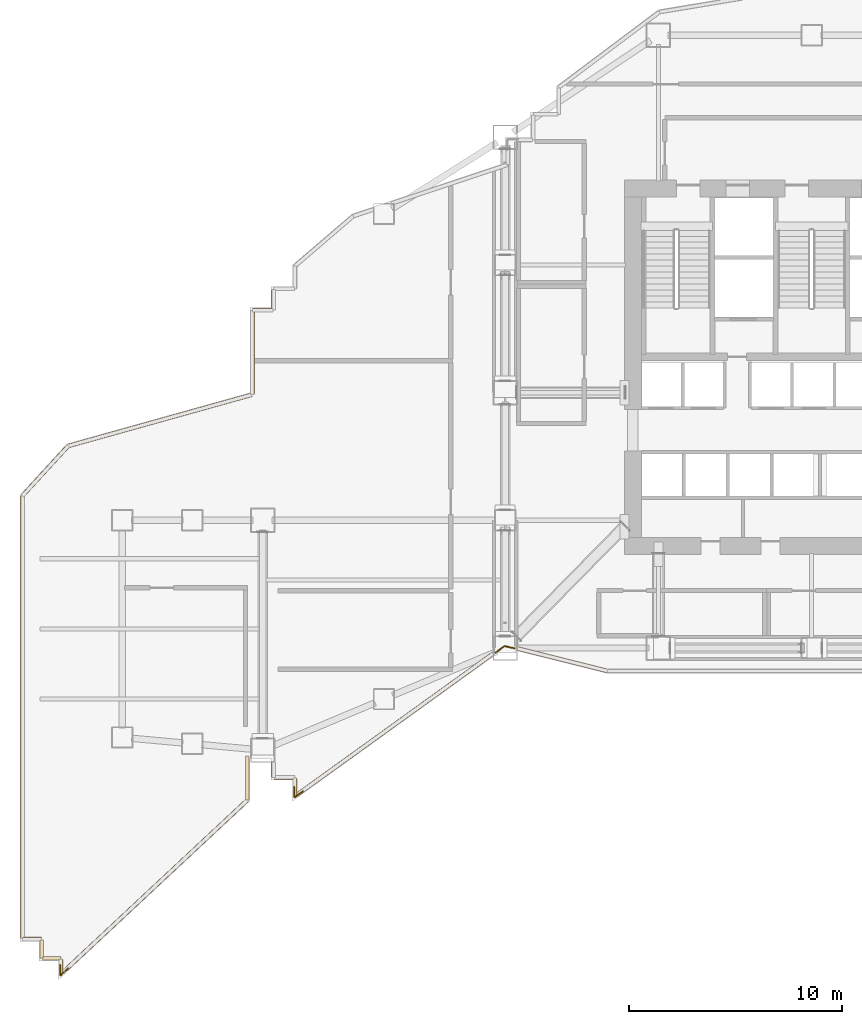
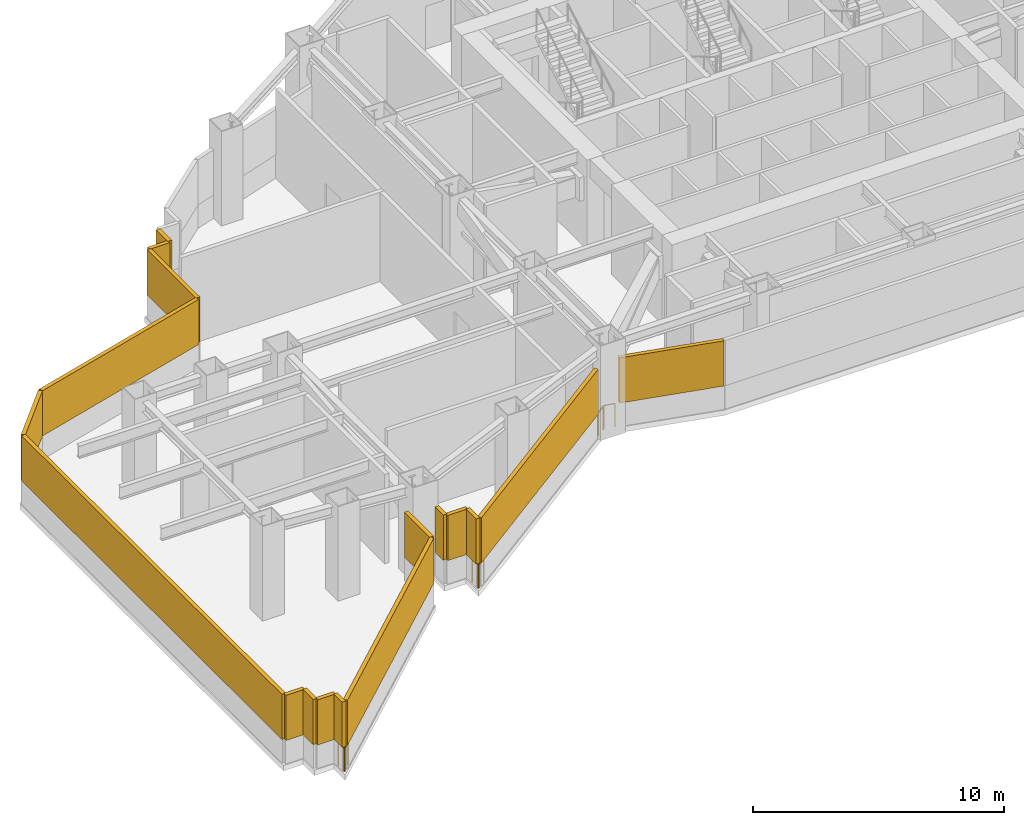
# One storey, part 17 of 23: 17 shading devices, 6 railings.
"""IFC4 building model written with IfcOpenShell, lengths in metres."""

from ifc_helpers import new_model, si_unit, direction, frame, origin, origin_2d, place, context, subcontext, project, spatial, rectangle, circle, extrude, material, type_object, element, save


model = new_model("IFC4")

# Units and contexts
model_context = context("Model", 3, precision=1e-05, world=origin(), true_north=direction((0.0, 1.0)))
body_context = subcontext(model_context, "Body", "Model", "MODEL_VIEW")
ifc_project = project(units=[si_unit("LENGTHUNIT", "METRE"), si_unit("AREAUNIT", "SQUARE_METRE"), si_unit("VOLUMEUNIT", "CUBIC_METRE"), si_unit("PLANEANGLEUNIT", "RADIAN"), si_unit("MASSUNIT", "GRAM", prefix="KILO")], contexts=[model_context])

# Site, building, storey
site_placement = place(None, origin())
site = spatial("IfcSite", under=ifc_project, at=site_placement, CompositionType="ELEMENT")
building_placement = place(site_placement, origin())
building = spatial("IfcBuilding", under=site, at=building_placement, Name="Haolan Belvedere Tower", CompositionType="ELEMENT")
storey_placement = place(building_placement, frame((0.0, 0.0, 89.39990234375)))
storey = spatial("IfcBuildingStorey", under=building, at=storey_placement, Name="L22", CompositionType="ELEMENT", Elevation=89.39990234375)

# Railings
ifc_material_1 = material(Name="Galvanised powder-coated steel guardrail", Category="steel")
railing_type = type_object("IfcRailingType", Name="RL-REF-GRD-1150", PredefinedType="GUARDRAIL", material=ifc_material_1)
railing_1_placement = place(storey_placement, frame((3.45556640625, 6.54833984375, 0.0)))
element("IfcRailing", 1, at=railing_1_placement, inside=storey, type_object=railing_type, Name="L22 refuge corner safety guardrail 1A", PredefinedType="GUARDRAIL", context=body_context, shape_type="SweptSolid", body=[
    extrude(circle(Radius=0.02392578125, at=origin_2d()), frame((0.0, 0.0, 1.1259765625), z_axis=(-0.731089801078, -0.682281249017, 0.0), x_axis=(0.682281249017, -0.731089801078, 0.0)), (0.0, 0.0, 1.0), 0.47021484375),
    extrude(circle(Radius=0.02099609375, at=origin_2d()), origin(), (0.0, 0.0, 1.0), 1.101806640625),
    extrude(circle(Radius=0.02099609375, at=origin_2d()), frame((-0.34375, -0.32080078125, 0.0)), (0.0, 0.0, 1.0), 1.101806640625),
])
railing_2_placement = place(storey_placement, frame((3.090087890625, 6.237060546875, 0.0)))
element("IfcRailing", 2, at=railing_2_placement, inside=storey, type_object=railing_type, Name="L22 refuge corner safety guardrail 1B", PredefinedType="GUARDRAIL", context=body_context, shape_type="SweptSolid", body=[
    extrude(circle(Radius=0.02392578125, at=origin_2d()), frame((0.0, 0.0, 1.1259765625), z_axis=(0.0, 1.0, 0.0), x_axis=(-1.0, 0.0, 0.0)), (0.0, 0.0, 1.0), 0.469970703125),
    extrude(circle(Radius=0.02099609375, at=origin_2d()), origin(), (0.0, 0.0, 1.0), 1.101806640625),
    extrude(circle(Radius=0.02099609375, at=origin_2d()), frame((0.0, 0.469970703125, 0.0)), (0.0, 0.0, 1.0), 1.101806640625),
])
railing_3_placement = place(storey_placement, frame((14.495849609375, 14.867919921875, 0.0)))
element("IfcRailing", 3, at=railing_3_placement, inside=storey, type_object=railing_type, Name="L22 refuge corner safety guardrail 2A", PredefinedType="GUARDRAIL", context=body_context, shape_type="SweptSolid", body=[
    extrude(circle(Radius=0.02392578125, at=origin_2d()), frame((0.0, 0.0, 1.1259765625), z_axis=(-0.811622975054, -0.584181603925, 0.0), x_axis=(0.584181603925, -0.811622975054, 0.0)), (0.0, 0.0, 1.0), 0.47021484375),
    extrude(circle(Radius=0.02099609375, at=origin_2d()), origin(), (0.0, 0.0, 1.0), 1.101806640625),
    extrude(circle(Radius=0.02099609375, at=origin_2d()), frame((-0.381591796875, -0.274658203125, 0.0)), (0.0, 0.0, 1.0), 1.101806640625),
])
railing_4_placement = place(storey_placement, frame((14.090087890625, 14.605712890625, 0.0)))
element("IfcRailing", 4, at=railing_4_placement, inside=storey, type_object=railing_type, Name="L22 refuge corner safety guardrail 2B", PredefinedType="GUARDRAIL", context=body_context, shape_type="SweptSolid", body=[
    extrude(circle(Radius=0.02392578125, at=origin_2d()), frame((0.0, 0.0, 1.1259765625), z_axis=(0.0, 1.0, 0.0), x_axis=(-1.0, 0.0, 0.0)), (0.0, 0.0, 1.0), 0.469970703125),
    extrude(circle(Radius=0.02099609375, at=origin_2d()), origin(), (0.0, 0.0, 1.0), 1.101806640625),
    extrude(circle(Radius=0.02099609375, at=origin_2d()), frame((0.0, 0.469970703125, 0.0)), (0.0, 0.0, 1.0), 1.101806640625),
])
railing_5_placement = place(storey_placement, frame((24.42578125, 21.586181640625, 0.0)))
element("IfcRailing", 5, at=railing_5_placement, inside=storey, type_object=railing_type, Name="L22 refuge corner safety guardrail 3A", PredefinedType="GUARDRAIL", context=body_context, shape_type="SweptSolid", body=[
    extrude(circle(Radius=0.02392578125, at=origin_2d()), frame((0.0, 0.0, 1.1259765625), z_axis=(-0.974532291101, 0.224247215372, 0.0), x_axis=(-0.224247215372, -0.974532291101, 0.0)), (0.0, 0.0, 1.0), 0.466064453125),
    extrude(circle(Radius=0.02099609375, at=origin_2d()), origin(), (0.0, 0.0, 1.0), 1.101806640625),
    extrude(circle(Radius=0.02099609375, at=origin_2d()), frame((-0.4541015625, 0.1044921875, 0.0)), (0.0, 0.0, 1.0), 1.101806640625),
])
railing_6_placement = place(storey_placement, frame((23.923095703125, 21.655517578125, 0.0)))
element("IfcRailing", 6, at=railing_6_placement, inside=storey, type_object=railing_type, Name="L22 refuge corner safety guardrail 3B", PredefinedType="GUARDRAIL", context=body_context, shape_type="SweptSolid", body=[
    extrude(circle(Radius=0.02392578125, at=origin_2d()), frame((0.0, 0.0, 1.1259765625), z_axis=(-0.811622975054, -0.584181603925, 0.0), x_axis=(0.584181603925, -0.811622975054, 0.0)), (0.0, 0.0, 1.0), 0.47021484375),
    extrude(circle(Radius=0.02099609375, at=origin_2d()), origin(), (0.0, 0.0, 1.0), 1.101806640625),
    extrude(circle(Radius=0.02099609375, at=origin_2d()), frame((-0.381591796875, -0.274658203125, 0.0)), (0.0, 0.0, 1.0), 1.101806640625),
])

# Shading devices
ifc_material_2 = material(Name="Anodised champagne-silver aluminium 6063-T6", Category="aluminium")
shading_device_type = type_object("IfcShadingDeviceType", Name="SHD-LOUV-180", PredefinedType="JALOUSIE", material=ifc_material_2)
shading_device_1_placement = place(storey_placement, frame((1.77001953125, 7.919921875, 1.14990234375), z_axis=(0.0, 0.0, 1.0), x_axis=(1.0, 0.0, 0.0)))
element("IfcShadingDevice", 7, at=shading_device_1_placement, inside=storey, type_object=shading_device_type, Name="L22 refuge storm-proof louvre bank 1.1", PredefinedType="JALOUSIE", context=body_context, shape_type="SweptSolid", body=[
    extrude(rectangle(XDim=0.860107421875, YDim=0.179931640625, at=origin_2d()), origin(), (0.0, 0.0, 1.0), 2.199951171875),
])
for number, where, z_axis, x_axis, name in (
    (8, (2.219970703125, 7.455078125, 1.14990234375), (0.0, 0.0, 1.0), (0.0, -1.0, 0.0), "L22 refuge storm-proof louvre bank 2.1"),
    (9, (2.68505859375, 7.02001953125, 1.14990234375), (0.0, 0.0, 1.0), (1.0, 0.0, 0.0), "L22 refuge storm-proof louvre bank 3.1"),
):
    element("IfcShadingDevice", number, at=place(storey_placement, frame(where, z_axis=z_axis, x_axis=x_axis)), inside=storey, type_object=shading_device_type, Name=name, PredefinedType="JALOUSIE", context=body_context, shape_type="SweptSolid", body=[
        extrude(rectangle(XDim=0.830078125, YDim=0.179931640625, at=origin_2d()), origin(), (0.0, 0.0, 1.0), 2.199951171875),
    ])
shading_device_2_placement = place(storey_placement, frame((3.1201171875, 6.633056640625, 1.14990234375), z_axis=(0.0, 0.0, 1.0), x_axis=(0.0, -1.0, 0.0)))
element("IfcShadingDevice", 10, at=shading_device_2_placement, inside=storey, type_object=shading_device_type, Name="L22 refuge storm-proof louvre bank 4.1", PredefinedType="JALOUSIE", context=body_context, shape_type="SweptSolid", body=[
    extrude(rectangle(XDim=0.673828125, YDim=0.179931640625, at=origin_2d()), origin(), (0.0, 0.0, 1.0), 2.199951171875),
])
shading_device_3_placement = place(storey_placement, frame((7.5439453125, 10.405029296875, 1.14990234375), z_axis=(0.0, 0.0, 1.0), x_axis=(0.731056054087, 0.682317408383, 0.0)))
element("IfcShadingDevice", 11, at=shading_device_3_placement, inside=storey, type_object=shading_device_type, Name="L22 refuge storm-proof louvre bank 5.1", PredefinedType="JALOUSIE", context=body_context, shape_type="SweptSolid", body=[
    extrude(rectangle(XDim=11.82275390625, YDim=0.179931640625, at=origin_2d()), origin(), (0.0, 0.0, 1.0), 2.199951171875),
])
shading_device_4_placement = place(storey_placement, frame((11.8798828125, 15.486083984375, 1.14990234375), z_axis=(0.0, 0.0, 1.0), x_axis=(0.0, 1.0, 0.0)))
element("IfcShadingDevice", 12, at=shading_device_4_placement, inside=storey, type_object=shading_device_type, Name="L22 refuge storm-proof louvre bank 6.1", PredefinedType="JALOUSIE", context=body_context, shape_type="SweptSolid", body=[
    extrude(rectangle(XDim=2.02783203125, YDim=0.179931640625, at=origin_2d()), origin(), (0.0, 0.0, 1.0), 2.199951171875),
])
shading_device_5_placement = place(storey_placement, frame((13.1201171875, 15.87646484375, 1.14990234375), z_axis=(0.0, 0.0, 1.0), x_axis=(0.0, -1.0, 0.0)))
element("IfcShadingDevice", 13, at=shading_device_5_placement, inside=storey, type_object=shading_device_type, Name="L22 refuge storm-proof louvre bank 8.1", PredefinedType="JALOUSIE", context=body_context, shape_type="SweptSolid", body=[
    extrude(rectangle(XDim=0.673095703125, YDim=0.179931640625, at=origin_2d()), origin(), (0.0, 0.0, 1.0), 2.199951171875),
])
shading_device_6_placement = place(storey_placement, frame((13.635009765625, 15.52001953125, 1.14990234375), z_axis=(0.0, 0.0, 1.0), x_axis=(1.0, 0.0, 0.0)))
element("IfcShadingDevice", 14, at=shading_device_6_placement, inside=storey, type_object=shading_device_type, Name="L22 refuge storm-proof louvre bank 9.1", PredefinedType="JALOUSIE", context=body_context, shape_type="SweptSolid", body=[
    extrude(rectangle(XDim=0.929931640625, YDim=0.179931640625, at=origin_2d()), origin(), (0.0, 0.0, 1.0), 2.199951171875),
])
shading_device_7_placement = place(storey_placement, frame((14.1201171875, 15.06201171875, 1.14990234375), z_axis=(0.0, 0.0, 1.0), x_axis=(0.0, -1.0, 0.0)))
element("IfcShadingDevice", 15, at=shading_device_7_placement, inside=storey, type_object=shading_device_type, Name="L22 refuge storm-proof louvre bank 10.1", PredefinedType="JALOUSIE", context=body_context, shape_type="SweptSolid", body=[
    extrude(rectangle(XDim=0.815673828125, YDim=0.179931640625, at=origin_2d()), origin(), (0.0, 0.0, 1.0), 2.199951171875),
])
shading_device_8_placement = place(storey_placement, frame((18.81298828125, 18.01318359375, 1.14990234375), z_axis=(0.0, 0.0, 1.0), x_axis=(0.811543389612, 0.584292158751, 0.0)))
element("IfcShadingDevice", 16, at=shading_device_8_placement, inside=storey, type_object=shading_device_type, Name="L22 refuge storm-proof louvre bank 11.1", PredefinedType="JALOUSIE", context=body_context, shape_type="SweptSolid", body=[
    extrude(rectangle(XDim=11.345703125, YDim=0.179931640625, at=origin_2d()), origin(), (0.0, 0.0, 1.0), 2.199951171875),
])
shading_device_9_placement = place(storey_placement, frame((26.69091796875, 21.051025390625, 1.14990234375), z_axis=(0.0, 0.0, 1.0), x_axis=(0.970143530747, -0.242531502591, 0.0)))
element("IfcShadingDevice", 17, at=shading_device_9_placement, inside=storey, type_object=shading_device_type, Name="L22 refuge storm-proof louvre bank 12.1", PredefinedType="JALOUSIE", context=body_context, shape_type="SweptSolid", body=[
    extrude(rectangle(XDim=4.33837890625, YDim=0.179931640625, at=origin_2d()), origin(), (0.0, 0.0, 1.0), 2.199951171875),
])
for number, where, z_axis, x_axis, name in (
    (18, (13.1201171875, 37.965087890625, 1.14990234375), (0.0, 0.0, 1.0), (0.0, -1.0, 0.0), "L22 refuge storm-proof louvre bank 54.1"),
    (19, (12.60498046875, 37.47998046875, 1.14990234375), (0.0, 0.0, 1.0), (-1.0, 0.0, 0.0), "L22 refuge storm-proof louvre bank 55.1"),
):
    element("IfcShadingDevice", number, at=place(storey_placement, frame(where, z_axis=z_axis, x_axis=x_axis)), inside=storey, type_object=shading_device_type, Name=name, PredefinedType="JALOUSIE", context=body_context, shape_type="SweptSolid", body=[
        extrude(rectangle(XDim=0.929931640625, YDim=0.179931640625, at=origin_2d()), origin(), (0.0, 0.0, 1.0), 2.199951171875),
    ])
shading_device_10_placement = place(storey_placement, frame((12.1201171875, 35.4794921875, 1.14990234375), z_axis=(0.0, 0.0, 1.0), x_axis=(0.0, -1.0, 0.0)))
element("IfcShadingDevice", 20, at=shading_device_10_placement, inside=storey, type_object=shading_device_type, Name="L22 refuge storm-proof louvre bank 56.1", PredefinedType="JALOUSIE", context=body_context, shape_type="SweptSolid", body=[
    extrude(rectangle(XDim=3.901123046875, YDim=0.179931640625, at=origin_2d()), origin(), (0.0, 0.0, 1.0), 2.199951171875),
])
shading_device_11_placement = place(storey_placement, frame((7.7783203125, 32.297119140625, 1.14990234375), z_axis=(0.0, 0.0, 1.0), x_axis=(-0.963195414363, -0.268802146102, 0.0)))
element("IfcShadingDevice", 21, at=shading_device_11_placement, inside=storey, type_object=shading_device_type, Name="L22 refuge storm-proof louvre bank 57.1", PredefinedType="JALOUSIE", context=body_context, shape_type="SweptSolid", body=[
    extrude(rectangle(XDim=8.915283203125, YDim=0.179931640625, at=origin_2d()), origin(), (0.0, 0.0, 1.0), 2.199951171875),
])
shading_device_12_placement = place(storey_placement, frame((2.392578125, 29.92333984375, 1.14990234375), z_axis=(0.0, 0.0, 1.0), x_axis=(-0.675731742251, -0.737147619215, 0.0)))
element("IfcShadingDevice", 22, at=shading_device_12_placement, inside=storey, type_object=shading_device_type, Name="L22 refuge storm-proof louvre bank 58.1", PredefinedType="JALOUSIE", context=body_context, shape_type="SweptSolid", body=[
    extrude(rectangle(XDim=3.134765625, YDim=0.179931640625, at=origin_2d()), origin(), (0.0, 0.0, 1.0), 2.199951171875),
])
shading_device_13_placement = place(storey_placement, frame((1.320068359375, 18.3515625, 1.14990234375), z_axis=(0.0, 0.0, 1.0), x_axis=(0.0, -1.0, 0.0)))
element("IfcShadingDevice", 23, at=shading_device_13_placement, inside=storey, type_object=shading_device_type, Name="L22 refuge storm-proof louvre bank 59.1", PredefinedType="JALOUSIE", context=body_context, shape_type="SweptSolid", body=[
    extrude(rectangle(XDim=20.76318359375, YDim=0.179931640625, at=origin_2d()), origin(), (0.0, 0.0, 1.0), 2.199951171875),
])

save(model, "model.ifc")
